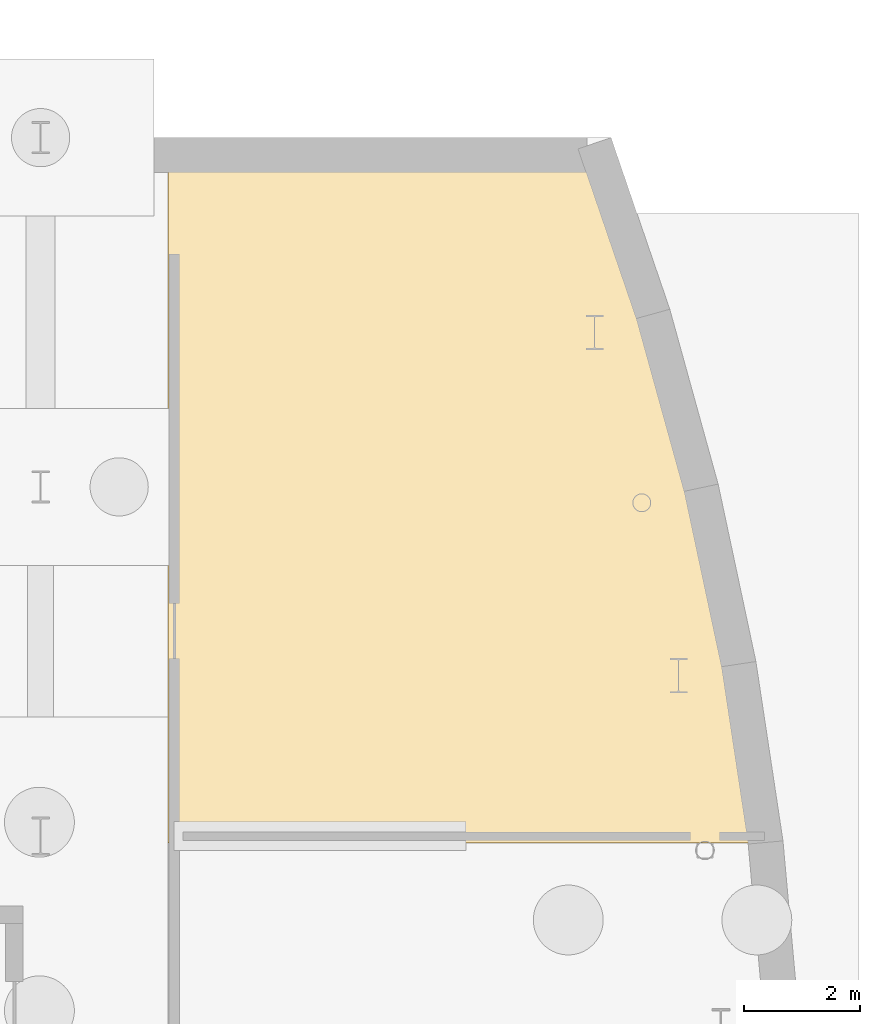
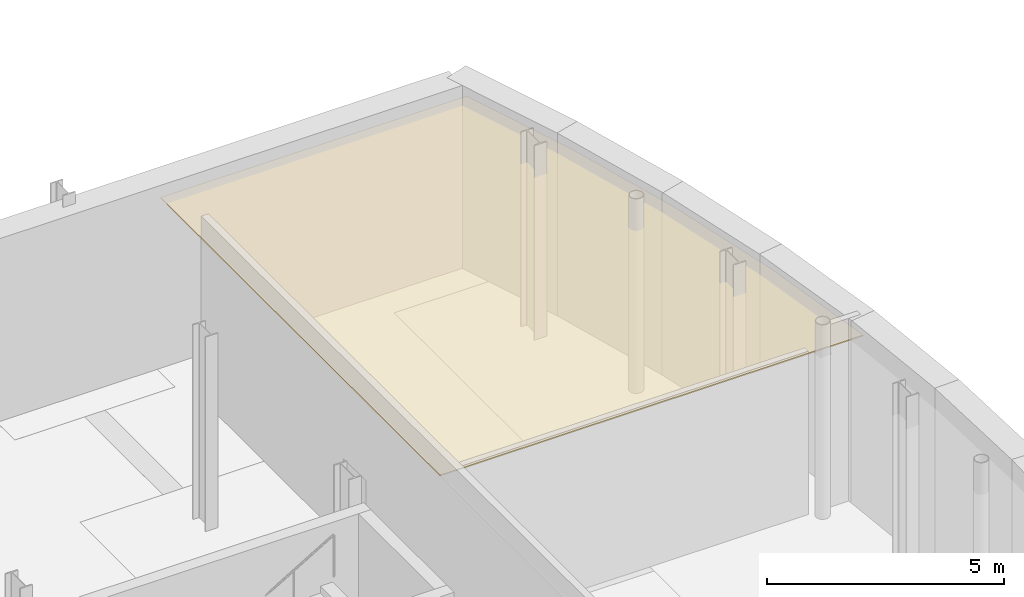
# One storey, part 46 of 47: 1 covering.
"""IFC4 building model written with IfcOpenShell, lengths in metres."""

from ifc_helpers import new_model, si_unit, direction, frame, origin, place, context, subcontext, project, spatial, polyline, outline, extrude, material, layer, layer_set, type_object, element, save


model = new_model("IFC4")

# Units and contexts
model_context = context("Model", 3, precision=1e-05, world=origin(), true_north=direction((0.0, 1.0)))
body_context = subcontext(model_context, "Body", "Model", "MODEL_VIEW")
ifc_project = project(units=[si_unit("LENGTHUNIT", "METRE"), si_unit("AREAUNIT", "SQUARE_METRE"), si_unit("VOLUMEUNIT", "CUBIC_METRE"), si_unit("PLANEANGLEUNIT", "RADIAN"), si_unit("MASSUNIT", "GRAM", prefix="KILO")], contexts=[model_context])

# Site, building, storey
site_placement = place(None, origin())
site = spatial("IfcSite", under=ifc_project, at=site_placement, CompositionType="ELEMENT")
building_placement = place(site_placement, origin())
building = spatial("IfcBuilding", under=site, at=building_placement, Name="Cymarion Research Institute", CompositionType="ELEMENT")
storey_placement = place(building_placement, frame((0.0, 0.0, -5.0)))
storey = spatial("IfcBuildingStorey", under=building, at=storey_placement, Name="B1", CompositionType="ELEMENT", Elevation=-5.0)

# Covering
ifc_material = material(Name="Micro-perforated mineral acoustic ceiling tile", Category="gypsum")
ifc_layer = layer(ifc_material, 0.030029296875)
ifc_layer_set = layer_set([ifc_layer], Name="Micro-perforated mineral acoustic ceiling tile")
covering_type = type_object("IfcCoveringType", Name="ACOUSTIC MICRO-PERFORATED SUSPENDED CEILING CLG-01", PredefinedType="CEILING", material=ifc_layer_set)
covering_placement = place(storey_placement, frame((0.0, 0.0, 4.14990234375)))
element("IfcCovering", 1, at=covering_placement, inside=storey, type_object=covering_type, Name="B1 B1 Prow Collaborative Reading Lounge acoustic ceiling", PredefinedType="CEILING", context=body_context, shape_type="SweptSolid", body=[
    extrude(outline(polyline([(164.22412109375, 41.1650390625), (165.14599609375, 38.47021484375), (165.971923828125, 35.482666015625), (166.617431640625, 32.45068359375), (167.080322265625, 29.385009765625), (156.784912109375, 29.385009765625), (156.784912109375, 41.1650390625), (164.22412109375, 41.1650390625)])), origin(), (0.0, 0.0, 1.0), 0.030029296875),
])

save(model, "model.ifc")
